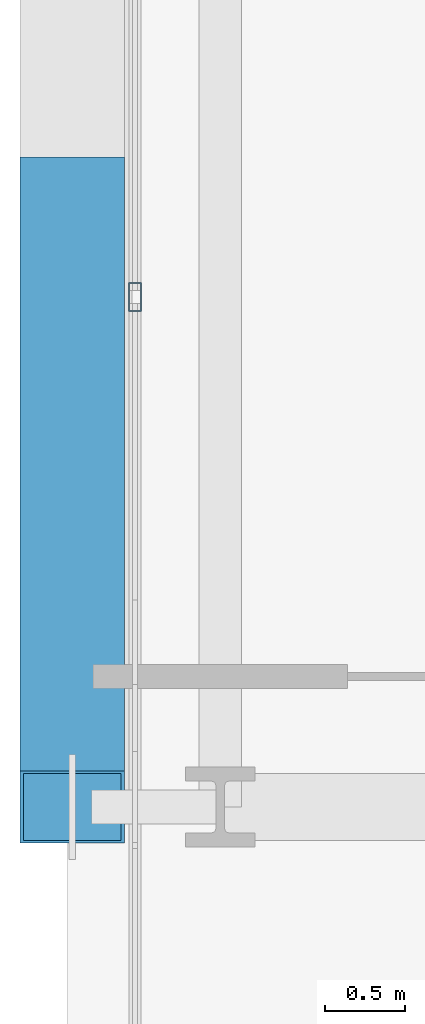
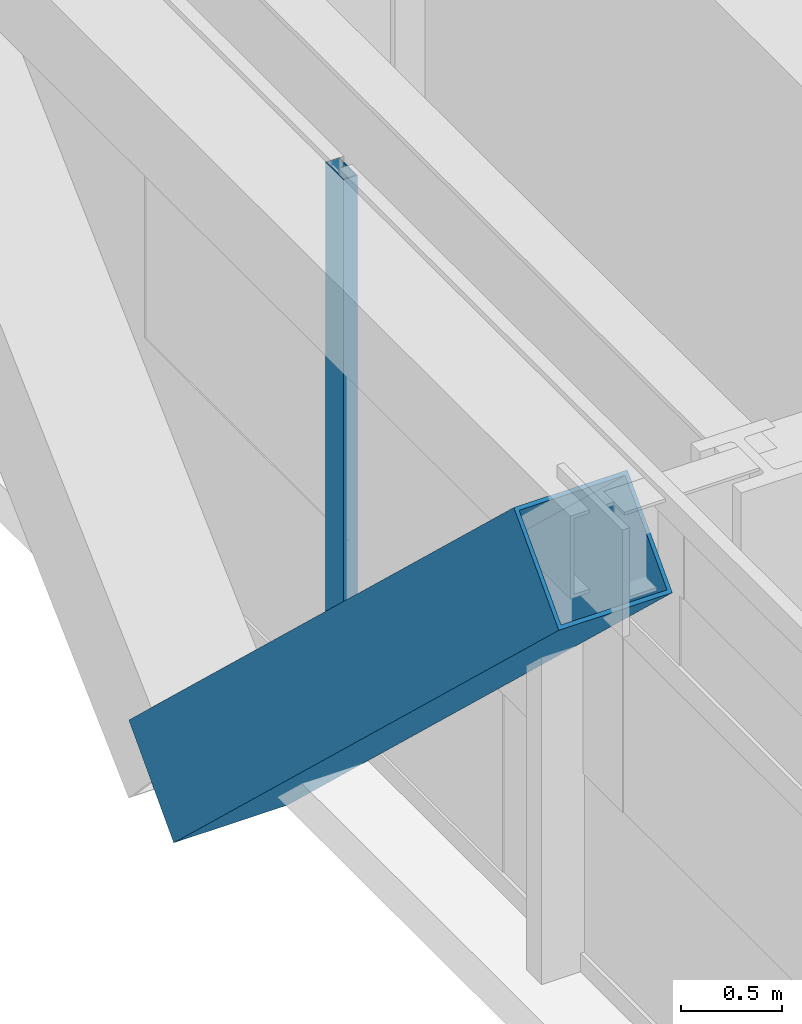
# One storey, part 3 of 34: 2 members, 1 element without a shape of its own.
"""IFC4 building model written with IfcOpenShell, lengths in metres."""

from ifc_helpers import new_model, si_unit, direction, frame, origin, origin_2d, place, context, subcontext, project, spatial, hollow_rectangle, extrude, source, transform, mapped, material, layer, layer_set, material_profile, profile_set, type_object, element, aggregate, save


model = new_model("IFC4")

# Units and contexts
model_context = context("Model", 3, precision=1e-05, world=origin(), true_north=direction((0.0, 1.0)))
body_context = subcontext(model_context, "Body", "Model", "MODEL_VIEW")
ifc_project = project(units=[si_unit("LENGTHUNIT", "METRE"), si_unit("AREAUNIT", "SQUARE_METRE"), si_unit("VOLUMEUNIT", "CUBIC_METRE"), si_unit("PLANEANGLEUNIT", "RADIAN"), si_unit("MASSUNIT", "GRAM", prefix="KILO")], contexts=[model_context])

# Site, building, storey
site_placement = place(None, origin())
site = spatial("IfcSite", under=ifc_project, at=site_placement, CompositionType="ELEMENT")
building_placement = place(site_placement, origin())
building = spatial("IfcBuilding", under=site, at=building_placement, Name="Ocotamira Hotel", CompositionType="ELEMENT")
storey_placement = place(building_placement, frame((0.0, 0.0, 163.199951171875)))
storey = spatial("IfcBuildingStorey", under=building, at=storey_placement, Name="L40", CompositionType="ELEMENT", Elevation=163.199951171875)

# Member
ifc_material_1 = material(Name="Pale-metal coated steel ASTM A913 Grade 65", Category="steel")
ifc_material_profile_1 = material_profile(ifc_material_1, hollow_rectangle(XDim=0.64990234375, YDim=0.64990234375, WallThickness=0.02197265625, at=origin_2d()), Name="BOX650X650X22")
ifc_profile_set_1 = profile_set([ifc_material_profile_1], Name="Pale-metal coated steel ASTM A913 Grade 65")
member_type_1 = type_object("IfcMemberType", Name="MEM-EXO-BOX650", PredefinedType="BRACE", material=ifc_profile_set_1)
shared_shape_1 = source(origin(), body_context, "Body", "SweptSolid", [
    extrude(hollow_rectangle(XDim=0.64990234375, YDim=0.64990234375, WallThickness=0.02197265625, at=origin_2d()), origin(), (0.0, 0.0, 1.0), 5.24658203125),
])
member_1_placement = place(storey_placement, frame((8.030029296875, 18.36669921875, -0.47998046875), z_axis=(0.0, -0.727442733726, 0.686168397078), x_axis=(1.0, 0.0, 0.0)))
element("IfcMember", 1, at=member_1_placement, inside=storey, type_object=member_type_1, Name="L40 Exoskeleton Diagrid W0.1", PredefinedType="BRACE", context=body_context, shape_type="MappedRepresentation", body=[
    mapped(shared_shape_1, transform((0.0, 0.0, 0.0), scale=1.0)),
])

# Curtain wall, member
ifc_material_2 = material(Name="Anodised pale-metal aluminium and solar glass", Category="aluminium")
ifc_layer = layer(ifc_material_2, 0.199951171875)
ifc_layer_set = layer_set([ifc_layer], Name="Anodised pale-metal aluminium and solar glass")
curtain_wall_type = type_object("IfcCurtainWallType", Name="CW-SYS4-Z3", PredefinedType="NOTDEFINED", material=ifc_layer_set)
curtain_wall_placement = place(storey_placement, origin())
curtain_wall = element("IfcCurtainWall", 2, at=curtain_wall_placement, inside=storey, type_object=curtain_wall_type, Name="L40 Curtain Wall CW-4 CW-L40-W", PredefinedType="NOTDEFINED")
ifc_material_3 = material(Name="Anodised pale-metal aluminium 6063-T6", Category="aluminium")
ifc_material_profile_2 = material_profile(ifc_material_3, hollow_rectangle(XDim=0.080078125, YDim=0.179931640625, WallThickness=0.006103515625, at=origin_2d()), Name="HSS180X80X6")
ifc_profile_set_2 = profile_set([ifc_material_profile_2], Name="Anodised pale-metal aluminium 6063-T6")
member_type_2 = type_object("IfcMemberType", Name="CWM-180X75", PredefinedType="MULLION", material=ifc_profile_set_2)
shared_shape_2 = source(origin(), body_context, "Body", "SweptSolid", [
    extrude(hollow_rectangle(XDim=0.080078125, YDim=0.179931640625, WallThickness=0.006103515625, at=origin_2d()), origin(), (0.0, 0.0, 1.0), 3.3701171875),
])
member_2_placement = place(storey_placement, frame((8.419921875, 17.719970703125, 0.0), z_axis=(0.0, 0.0, 1.0), x_axis=(-1.0, 0.0, 0.0)))
member_2 = element("IfcMember", 3, at=member_2_placement, type_object=member_type_2, Name="CW-4 mullion 2", PredefinedType="MULLION", context=body_context, shape_type="MappedRepresentation", body=[
    mapped(shared_shape_2, transform((0.0, 0.0, 0.0), scale=1.0)),
])
aggregate(curtain_wall, [member_2])

save(model, "model.ifc")
